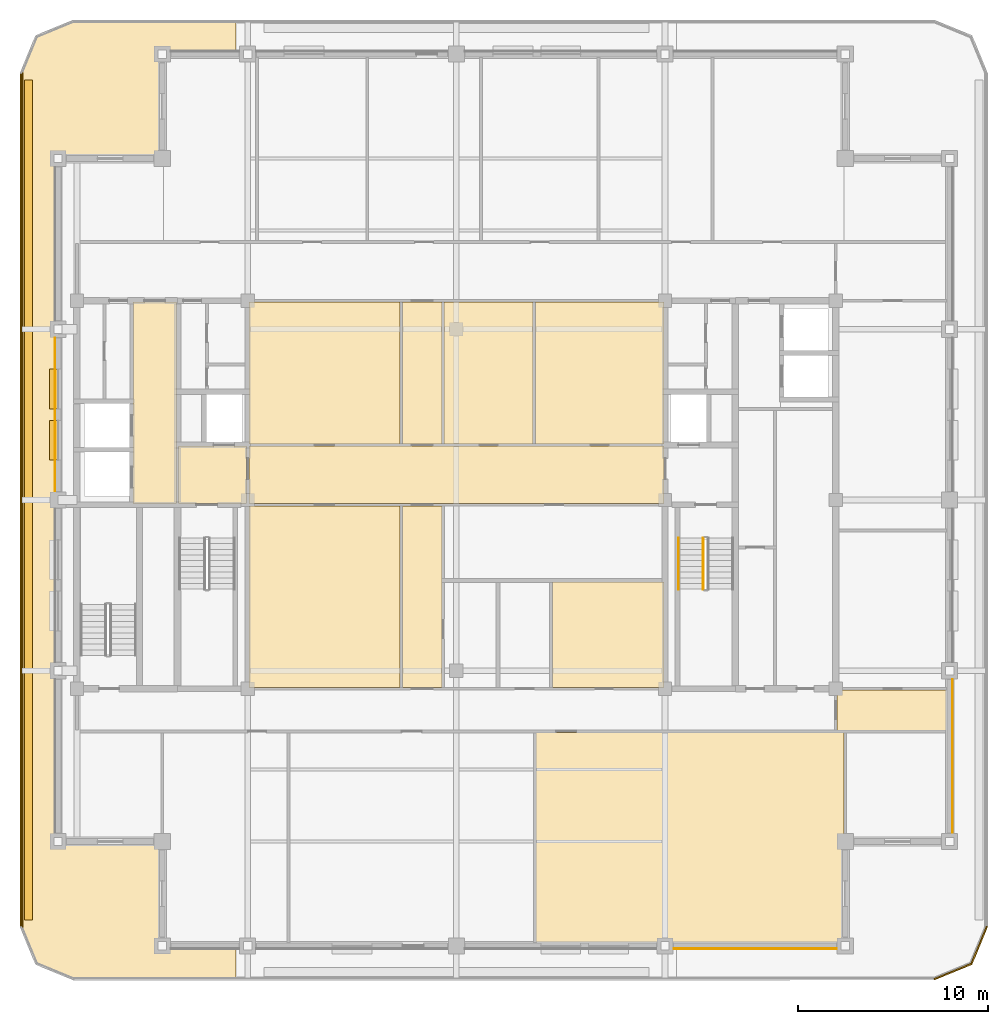
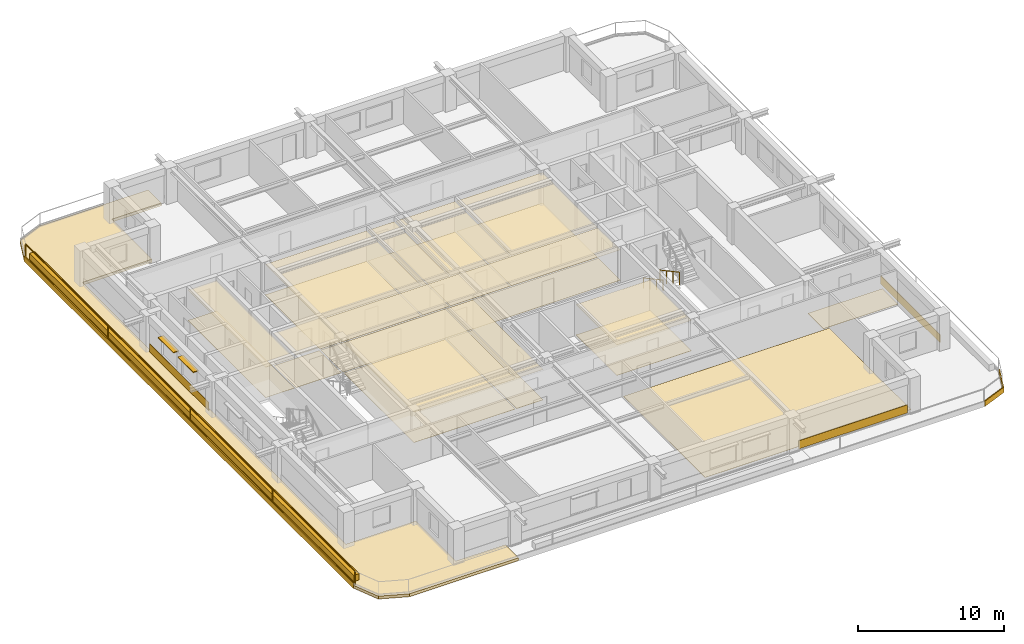
# One storey, part 9 of 11: 30 coverings, 3 railings, 2 shading devices.
"""IFC4 building model written with IfcOpenShell, lengths in metres."""

from ifc_helpers import new_model, si_unit, direction, frame, frame_2d, origin, origin_2d, place, context, subcontext, project, spatial, polyline, rectangle, outline, extrude, material, layer, layer_set, type_object, element, save


model = new_model("IFC4")

# Units and contexts
model_context = context("Model", 3, precision=1e-05, world=origin(), true_north=direction((0.0, 1.0)))
body_context = subcontext(model_context, "Body", "Model", "MODEL_VIEW")
ifc_project = project(units=[si_unit("LENGTHUNIT", "METRE"), si_unit("AREAUNIT", "SQUARE_METRE"), si_unit("VOLUMEUNIT", "CUBIC_METRE"), si_unit("PLANEANGLEUNIT", "RADIAN"), si_unit("MASSUNIT", "GRAM", prefix="KILO")], contexts=[model_context])

# Site, building, storey
site_placement = place(None, origin())
site = spatial("IfcSite", under=ifc_project, at=site_placement, CompositionType="ELEMENT")
building_placement = place(site_placement, origin())
building = spatial("IfcBuilding", under=site, at=building_placement, Name="Zulmaris Gate Convention Tower", CompositionType="ELEMENT")
storey_placement = place(building_placement, frame((0.0, 0.0, 233.280029296875)))
storey = spatial("IfcBuildingStorey", under=building, at=storey_placement, Name="L61", CompositionType="ELEMENT", Elevation=233.280029296875)

# Coverings
ifc_material_1 = material(Name="Precast concrete C40/50", Category="concrete")
ifc_layer_1 = layer(ifc_material_1, 0.0400390625, Name="Precast concrete C40/50")
ifc_layer_set_1 = layer_set([ifc_layer_1], Name="Precast concrete C40/50")
covering_type_1 = type_object("IfcCoveringType", Name="CLAD-SPANDREL-PRECAST", PredefinedType="CLADDING", material=ifc_layer_set_1)
covering_1_placement = place(storey_placement, frame((11.455078125, -23.64990234375, 0.0), z_axis=(0.0, 0.0, 1.0), x_axis=(1.0, 0.0, 0.0)))
element("IfcCovering", 1, at=covering_1_placement, inside=storey, type_object=covering_type_1, Name="CLD-L61-S-3_0", PredefinedType="CLADDING", context=body_context, shape_type="SweptSolid", body=[
    extrude(rectangle(XDim=8.58984375, YDim=0.0400390625, at=frame_2d((4.294921875, 0.0))), origin(), (0.0, 0.0, 1.0), 0.679931640625),
])
for number, where, z_axis, x_axis, name in (
    (2, (26.14990234375, -17.544921875, 0.0), (0.0, 0.0, 1.0), (0.0, 1.0, 0.0), "CLD-L61-E-0_0"),
    (3, (-21.14990234375, 8.544921875, 0.0), (0.0, 0.0, 1.0), (0.0, -1.0, 0.0), "CLD-L61-W-2_0"),
):
    element("IfcCovering", number, at=place(storey_placement, frame(where, z_axis=z_axis, x_axis=x_axis)), inside=storey, type_object=covering_type_1, Name=name, PredefinedType="CLADDING", context=body_context, shape_type="SweptSolid", body=[
        extrude(rectangle(XDim=8.08984375, YDim=0.0400390625, at=frame_2d((4.044921875, 0.0))), origin(), (0.0, 0.0, 1.0), 0.679931640625),
    ])
ifc_material_2 = material(Name="White Glazed Architectural Precast Concrete C40/50", Category="concrete")
ifc_layer_2 = layer(ifc_material_2, 0.239990234375, Name="White Glazed Architectural Precast Concrete C40/50")
ifc_layer_set_2 = layer_set([ifc_layer_2], Name="White Glazed Architectural Precast Concrete C40/50")
covering_type_2 = type_object("IfcCoveringType", Name="CLAD-TRAY-DECK", PredefinedType="CLADDING", material=ifc_layer_set_2)
covering_2_placement = place(storey_placement, frame((0.0, 0.0, -0.25)))
element("IfcCovering", 4, at=covering_2_placement, inside=storey, type_object=covering_type_2, Name="L61 West Rounded-Fascia Planter Tray Deck", PredefinedType="CLADDING", context=body_context, shape_type="SweptSolid", body=[
    extrude(outline(polyline([(-23.0, 22.5), (-22.179931640625, 24.47998046875), (-20.199951171875, 25.300048828125), (-11.60205078125, 25.300048828125), (-11.60205078125, 23.5), (-15.5, 23.5), (-15.5, 18.0), (-21.0, 18.0), (-21.0, -18.0), (-15.5, -18.0), (-15.5, -23.5), (-11.60205078125, -23.5), (-11.60205078125, -25.300048828125), (-20.199951171875, -25.300048828125), (-22.179931640625, -24.47998046875), (-23.0, -22.5), (-23.0, 22.5)])), origin(), (0.0, 0.0, 1.0), 0.239990234375),
])
ifc_layer_3 = layer(ifc_material_2, 0.080078125, Name="White Glazed Architectural Precast Concrete C40/50")
ifc_layer_set_3 = layer_set([ifc_layer_3], Name="White Glazed Architectural Precast Concrete C40/50")
covering_type_3 = type_object("IfcCoveringType", Name="CLAD-TRAY-FASCIA", PredefinedType="CLADDING", material=ifc_layer_set_3)
covering_3_placement = place(storey_placement, frame((25.184814453125, -25.262939453125, -0.2900390625), z_axis=(0.0, 0.0, 1.0), x_axis=(0.923873803533, 0.382697263049, 0.0)))
element("IfcCovering", 5, at=covering_3_placement, inside=storey, type_object=covering_type_3, Name="FSC-L61-TR-03", PredefinedType="CLADDING", context=body_context, shape_type="SweptSolid", body=[
    extrude(rectangle(XDim=2.142822265625, YDim=0.080078125, at=frame_2d((1.0712890625, 0.0))), origin(), (0.0, 0.0, 1.0), 0.43994140625),
])
covering_4_placement = place(storey_placement, frame((27.142822265625, -24.464599609375, -0.2900390625), z_axis=(0.0, 0.0, 1.0), x_axis=(0.382656984709, 0.923890487046, 0.0)))
element("IfcCovering", 6, at=covering_4_placement, inside=storey, type_object=covering_type_3, Name="FSC-L61-TR-04", PredefinedType="CLADDING", context=body_context, shape_type="SweptSolid", body=[
    extrude(rectangle(XDim=2.14306640625, YDim=0.080078125, at=frame_2d((1.071533203125, 0.0))), origin(), (0.0, 0.0, 1.0), 0.43994140625),
])
covering_5_placement = place(storey_placement, frame((-22.9599609375, 22.5, -0.2900390625), z_axis=(0.0, 0.0, 1.0), x_axis=(0.0, -1.0, 0.0)))
element("IfcCovering", 7, at=covering_5_placement, inside=storey, type_object=covering_type_3, Name="FSC-L61-TR-11", PredefinedType="CLADDING", context=body_context, shape_type="SweptSolid", body=[
    extrude(rectangle(XDim=45.0, YDim=0.080078125, at=frame_2d((22.5, 0.0))), origin(), (0.0, 0.0, 1.0), 0.43994140625),
])
ifc_material_3 = material(Name="Mineral Fibre Acoustic Ceiling Tile")
ifc_layer_4 = layer(ifc_material_3, 0.02001953125, Name="Mineral Fibre Acoustic Ceiling Tile")
ifc_layer_set_4 = layer_set([ifc_layer_4], Name="Mineral Fibre Acoustic Ceiling Tile")
covering_type_4 = type_object("IfcCoveringType", Name="CLG-ACOUSTIC-600", PredefinedType="CEILING", material=ifc_layer_set_4)
covering_6_placement = place(storey_placement, frame((0.0, 0.0, 2.699951171875)))
element("IfcCovering", 8, at=covering_6_placement, inside=storey, type_object=covering_type_4, Name="CLG-L61-R03", PredefinedType="CEILING", context=body_context, shape_type="SweptSolid", body=[
    extrude(outline(polyline([(-14.639892578125, -0.18994140625), (-11.06005859375, -0.18994140625), (-11.06005859375, 2.840087890625), (-14.639892578125, 2.840087890625), (-14.639892578125, -0.18994140625)])), origin(), (0.0, 0.0, 1.0), 0.02001953125),
])
covering_7_placement = place(storey_placement, frame((0.0, 0.0, 2.5380859375)))
element("IfcCovering", 9, at=covering_7_placement, inside=storey, type_object=covering_type_4, Name="CLG-L61-R21", PredefinedType="CEILING", context=body_context, shape_type="SweptSolid", body=[
    extrude(outline(polyline([(-17.0400390625, -0.18994140625), (-14.760009765625, -0.18994140625), (-14.760009765625, 10.43994140625), (-17.0400390625, 10.43994140625), (-17.0400390625, -0.18994140625)])), origin(), (0.0, 0.0, 1.0), 0.019775390625),
])
covering_8_placement = place(storey_placement, frame((0.0, 0.0, 2.5380859375)))
element("IfcCovering", 10, at=covering_8_placement, inside=storey, type_object=covering_type_4, Name="CLG-L61-R34", PredefinedType="CEILING", context=body_context, shape_type="SweptSolid", body=[
    extrude(outline(polyline([(-10.93994140625, -0.18994140625), (10.93994140625, -0.18994140625), (10.93994140625, 2.840087890625), (-10.93994140625, 2.840087890625), (-10.93994140625, -0.18994140625)])), origin(), (0.0, 0.0, 1.0), 0.019775390625),
])
covering_9_placement = place(storey_placement, frame((0.0, 0.0, 2.5380859375)))
element("IfcCovering", 11, at=covering_9_placement, inside=storey, type_object=covering_type_4, Name="CLG-L61-R35", PredefinedType="CEILING", context=body_context, shape_type="SweptSolid", body=[
    extrude(outline(polyline([(-2.840087890625, 2.9599609375), (-0.760009765625, 2.9599609375), (-0.760009765625, 10.43994140625), (-2.840087890625, 10.43994140625), (-2.840087890625, 2.9599609375)])), origin(), (0.0, 0.0, 1.0), 0.019775390625),
])
covering_10_placement = place(storey_placement, frame((0.0, 0.0, 2.5380859375)))
element("IfcCovering", 12, at=covering_10_placement, inside=storey, type_object=covering_type_4, Name="CLG-L61-R36", PredefinedType="CEILING", context=body_context, shape_type="SweptSolid", body=[
    extrude(outline(polyline([(-2.840087890625, -9.889892578125), (-0.760009765625, -9.889892578125), (-0.760009765625, -0.31005859375), (-2.840087890625, -0.31005859375), (-2.840087890625, -9.889892578125)])), origin(), (0.0, 0.0, 1.0), 0.019775390625),
])
covering_11_placement = place(storey_placement, frame((0.0, 0.0, 2.5380859375)))
element("IfcCovering", 13, at=covering_11_placement, inside=storey, type_object=covering_type_4, Name="CLG-L61-R46", PredefinedType="CEILING", context=body_context, shape_type="SweptSolid", body=[
    extrude(outline(polyline([(-10.93994140625, 2.9599609375), (-2.9599609375, 2.9599609375), (-2.9599609375, 10.43994140625), (-10.93994140625, 10.43994140625), (-10.93994140625, 2.9599609375)])), origin(), (0.0, 0.0, 1.0), 0.019775390625),
])
covering_12_placement = place(storey_placement, frame((0.0, 0.0, 2.5380859375)))
element("IfcCovering", 14, at=covering_12_placement, inside=storey, type_object=covering_type_4, Name="CLG-L61-R47", PredefinedType="CEILING", context=body_context, shape_type="SweptSolid", body=[
    extrude(outline(polyline([(-0.639892578125, 2.9599609375), (4.0400390625, 2.9599609375), (4.0400390625, 10.43994140625), (-0.639892578125, 10.43994140625), (-0.639892578125, 2.9599609375)])), origin(), (0.0, 0.0, 1.0), 0.019775390625),
])
covering_13_placement = place(storey_placement, frame((0.0, 0.0, 2.5380859375)))
element("IfcCovering", 15, at=covering_13_placement, inside=storey, type_object=covering_type_4, Name="CLG-L61-R48", PredefinedType="CEILING", context=body_context, shape_type="SweptSolid", body=[
    extrude(outline(polyline([(4.159912109375, 2.9599609375), (10.93994140625, 2.9599609375), (10.93994140625, 10.43994140625), (4.159912109375, 10.43994140625), (4.159912109375, 2.9599609375)])), origin(), (0.0, 0.0, 1.0), 0.019775390625),
])
covering_14_placement = place(storey_placement, frame((0.0, 0.0, 2.5380859375)))
element("IfcCovering", 16, at=covering_14_placement, inside=storey, type_object=covering_type_4, Name="CLG-L61-R49", PredefinedType="CEILING", context=body_context, shape_type="SweptSolid", body=[
    extrude(outline(polyline([(-10.93994140625, -9.889892578125), (-2.9599609375, -9.889892578125), (-2.9599609375, -0.31005859375), (-10.93994140625, -0.31005859375), (-10.93994140625, -9.889892578125)])), origin(), (0.0, 0.0, 1.0), 0.019775390625),
])
covering_15_placement = place(storey_placement, frame((0.0, 0.0, 2.5380859375)))
element("IfcCovering", 17, at=covering_15_placement, inside=storey, type_object=covering_type_4, Name="CLG-L61-R53", PredefinedType="CEILING", context=body_context, shape_type="SweptSolid", body=[
    extrude(outline(polyline([(5.06005859375, -9.889892578125), (10.93994140625, -9.889892578125), (10.93994140625, -4.31005859375), (5.06005859375, -4.31005859375), (5.06005859375, -9.889892578125)])), origin(), (0.0, 0.0, 1.0), 0.019775390625),
])
ifc_material_4 = material(Name="Woven Acoustic Wool Carpet Tile")
ifc_layer_5 = layer(ifc_material_4, 0.02001953125, Name="Woven Acoustic Wool Carpet Tile")
ifc_layer_set_5 = layer_set([ifc_layer_5], Name="Woven Acoustic Wool Carpet Tile")
covering_type_5 = type_object("IfcCoveringType", Name="FLR-CARPET-12", PredefinedType="FLOORING", material=ifc_layer_set_5)
covering_16_placement = place(storey_placement, origin())
element("IfcCovering", 18, at=covering_16_placement, inside=storey, type_object=covering_type_5, Name="FLR-L61-R03", PredefinedType="FLOORING", context=body_context, shape_type="SweptSolid", body=[
    extrude(outline(polyline([(-14.639892578125, -0.18994140625), (-11.06005859375, -0.18994140625), (-11.06005859375, 2.840087890625), (-14.639892578125, 2.840087890625), (-14.639892578125, -0.18994140625)])), origin(), (0.0, 0.0, 1.0), 0.02001953125),
])
covering_17_placement = place(storey_placement, origin())
element("IfcCovering", 19, at=covering_17_placement, inside=storey, type_object=covering_type_5, Name="FLR-L61-R21", PredefinedType="FLOORING", context=body_context, shape_type="SweptSolid", body=[
    extrude(outline(polyline([(-17.0400390625, -0.18994140625), (-14.760009765625, -0.18994140625), (-14.760009765625, 10.43994140625), (-17.0400390625, 10.43994140625), (-17.0400390625, -0.18994140625)])), origin(), (0.0, 0.0, 1.0), 0.02001953125),
])
covering_18_placement = place(storey_placement, origin())
element("IfcCovering", 20, at=covering_18_placement, inside=storey, type_object=covering_type_5, Name="FLR-L61-R34", PredefinedType="FLOORING", context=body_context, shape_type="SweptSolid", body=[
    extrude(outline(polyline([(-10.93994140625, -0.18994140625), (10.93994140625, -0.18994140625), (10.93994140625, 2.840087890625), (-10.93994140625, 2.840087890625), (-10.93994140625, -0.18994140625)])), origin(), (0.0, 0.0, 1.0), 0.02001953125),
])
covering_19_placement = place(storey_placement, origin())
element("IfcCovering", 21, at=covering_19_placement, inside=storey, type_object=covering_type_5, Name="FLR-L61-R35", PredefinedType="FLOORING", context=body_context, shape_type="SweptSolid", body=[
    extrude(outline(polyline([(-2.840087890625, 2.9599609375), (-0.760009765625, 2.9599609375), (-0.760009765625, 10.43994140625), (-2.840087890625, 10.43994140625), (-2.840087890625, 2.9599609375)])), origin(), (0.0, 0.0, 1.0), 0.02001953125),
])
covering_20_placement = place(storey_placement, origin())
element("IfcCovering", 22, at=covering_20_placement, inside=storey, type_object=covering_type_5, Name="FLR-L61-R36", PredefinedType="FLOORING", context=body_context, shape_type="SweptSolid", body=[
    extrude(outline(polyline([(-2.840087890625, -9.889892578125), (-0.760009765625, -9.889892578125), (-0.760009765625, -0.31005859375), (-2.840087890625, -0.31005859375), (-2.840087890625, -9.889892578125)])), origin(), (0.0, 0.0, 1.0), 0.02001953125),
])
covering_21_placement = place(storey_placement, origin())
element("IfcCovering", 23, at=covering_21_placement, inside=storey, type_object=covering_type_5, Name="FLR-L61-R45", PredefinedType="FLOORING", context=body_context, shape_type="SweptSolid", body=[
    extrude(outline(polyline([(4.2099609375, -23.43994140625), (20.43994140625, -23.43994140625), (20.43994140625, -12.260009765625), (4.2099609375, -12.260009765625), (4.2099609375, -23.43994140625)])), origin(), (0.0, 0.0, 1.0), 0.02001953125),
])
covering_22_placement = place(storey_placement, origin())
element("IfcCovering", 24, at=covering_22_placement, inside=storey, type_object=covering_type_5, Name="FLR-L61-R48", PredefinedType="FLOORING", context=body_context, shape_type="SweptSolid", body=[
    extrude(outline(polyline([(4.159912109375, 2.9599609375), (10.93994140625, 2.9599609375), (10.93994140625, 10.43994140625), (4.159912109375, 10.43994140625), (4.159912109375, 2.9599609375)])), origin(), (0.0, 0.0, 1.0), 0.02001953125),
])
covering_23_placement = place(storey_placement, origin())
element("IfcCovering", 25, at=covering_23_placement, inside=storey, type_object=covering_type_5, Name="FLR-L61-R49", PredefinedType="FLOORING", context=body_context, shape_type="SweptSolid", body=[
    extrude(outline(polyline([(-10.93994140625, -9.889892578125), (-2.9599609375, -9.889892578125), (-2.9599609375, -0.31005859375), (-10.93994140625, -0.31005859375), (-10.93994140625, -9.889892578125)])), origin(), (0.0, 0.0, 1.0), 0.02001953125),
])
covering_24_placement = place(storey_placement, origin())
element("IfcCovering", 26, at=covering_24_placement, inside=storey, type_object=covering_type_5, Name="FLR-L61-R53", PredefinedType="FLOORING", context=body_context, shape_type="SweptSolid", body=[
    extrude(outline(polyline([(5.06005859375, -9.889892578125), (10.93994140625, -9.889892578125), (10.93994140625, -4.31005859375), (5.06005859375, -4.31005859375), (5.06005859375, -9.889892578125)])), origin(), (0.0, 0.0, 1.0), 0.02001953125),
])
covering_25_placement = place(storey_placement, origin())
element("IfcCovering", 27, at=covering_25_placement, inside=storey, type_object=covering_type_5, Name="FLR-L61-R55", PredefinedType="FLOORING", context=body_context, shape_type="SweptSolid", body=[
    extrude(outline(polyline([(20.06005859375, -12.139892578125), (25.93994140625, -12.139892578125), (25.93994140625, -10.010009765625), (20.06005859375, -10.010009765625), (20.06005859375, -12.139892578125)])), origin(), (0.0, 0.0, 1.0), 0.02001953125),
])
ifc_material_5 = material(Name="Polished Granite Terrazzo Tile", Category="masonry")
ifc_layer_6 = layer(ifc_material_5, 0.02001953125, Name="Polished Granite Terrazzo Tile")
ifc_layer_set_6 = layer_set([ifc_layer_6], Name="Polished Granite Terrazzo Tile")
covering_type_6 = type_object("IfcCoveringType", Name="FLR-TERRAZZO-30", PredefinedType="FLOORING", material=ifc_layer_set_6)
covering_26_placement = place(storey_placement, origin())
element("IfcCovering", 28, at=covering_26_placement, inside=storey, type_object=covering_type_6, Name="FLR-L61-R46", PredefinedType="FLOORING", context=body_context, shape_type="SweptSolid", body=[
    extrude(outline(polyline([(-10.93994140625, 2.9599609375), (-2.9599609375, 2.9599609375), (-2.9599609375, 10.43994140625), (-10.93994140625, 10.43994140625), (-10.93994140625, 2.9599609375)])), origin(), (0.0, 0.0, 1.0), 0.02001953125),
])
ifc_material_6 = material(Name="Engineered Teak Parquet Flooring")
ifc_layer_7 = layer(ifc_material_6, 0.02001953125, Name="Engineered Teak Parquet Flooring")
ifc_layer_set_7 = layer_set([ifc_layer_7], Name="Engineered Teak Parquet Flooring")
covering_type_7 = type_object("IfcCoveringType", Name="FLR-TIMBER-18", PredefinedType="FLOORING", material=ifc_layer_set_7)
covering_27_placement = place(storey_placement, origin())
element("IfcCovering", 29, at=covering_27_placement, inside=storey, type_object=covering_type_7, Name="FLR-L61-R47", PredefinedType="FLOORING", context=body_context, shape_type="SweptSolid", body=[
    extrude(outline(polyline([(-0.639892578125, 2.9599609375), (4.0400390625, 2.9599609375), (4.0400390625, 10.43994140625), (-0.639892578125, 10.43994140625), (-0.639892578125, 2.9599609375)])), origin(), (0.0, 0.0, 1.0), 0.02001953125),
])
ifc_material_7 = material(Name="Botanical Green Glazed Precast Concrete C40/50", Category="concrete")
ifc_layer_8 = layer(ifc_material_7, 0.419921875, Name="Botanical Green Glazed Precast Concrete C40/50")
ifc_layer_set_8 = layer_set([ifc_layer_8], Name="Botanical Green Glazed Precast Concrete C40/50")
covering_type_8 = type_object("IfcCoveringType", Name="PLANTER-BOX-200", PredefinedType="CLADDING", material=ifc_layer_set_8)
covering_28_placement = place(storey_placement, frame((0.0, 0.0, -0.010009765625)))
element("IfcCovering", 30, at=covering_28_placement, inside=storey, type_object=covering_type_8, Name="L61 W Full-Length Balcony Tree Planter Trough", PredefinedType="CLADDING", context=body_context, shape_type="SweptSolid", body=[
    extrude(outline(polyline([(-22.760009765625, -22.14990234375), (-22.340087890625, -22.14990234375), (-22.340087890625, 22.14990234375), (-22.760009765625, 22.14990234375), (-22.760009765625, -22.14990234375)])), origin(), (0.0, 0.0, 1.0), 0.52001953125),
])

# Railings
ifc_material_8 = material(Name="Laminated Glass and Stainless Steel", Category="steel")
railing_type_1 = type_object("IfcRailingType", Name="RL-BALC-1150", PredefinedType="BALUSTRADE", material=ifc_material_8)
railing_1_placement = place(storey_placement, frame((-22.8798828125, 22.5, -0.010009765625)))
element("IfcRailing", 31, at=railing_1_placement, inside=storey, type_object=railing_type_1, Name="RL-L61-BALC-W", PredefinedType="BALUSTRADE", context=body_context, shape_type="SweptSolid", body=[
    extrude(rectangle(XDim=0.048095703125, YDim=0.048095703125, at=origin_2d()), frame((0.0, 0.0, 1.1259765625), z_axis=(0.0, -1.0, 0.0), x_axis=(1.0, 0.0, 0.0)), (0.0, 0.0, 1.0), 45.0),
    extrude(rectangle(XDim=0.048095703125, YDim=0.048095703125, at=origin_2d()), frame((0.0, 0.0, 0.02392578125), z_axis=(0.0, -1.0, 0.0), x_axis=(1.0, 0.0, 0.0)), (0.0, 0.0, 1.0), 45.0),
    extrude(rectangle(XDim=0.0419921875, YDim=0.0419921875, at=origin_2d()), origin(), (0.0, 0.0, 1.0), 1.101806640625),
    extrude(rectangle(XDim=0.0419921875, YDim=0.0419921875, at=origin_2d()), frame((0.0, -11.25, 0.0)), (0.0, 0.0, 1.0), 1.101806640625),
    extrude(rectangle(XDim=0.0419921875, YDim=0.0419921875, at=origin_2d()), frame((0.0, -22.5, 0.0)), (0.0, 0.0, 1.0), 1.101806640625),
    extrude(rectangle(XDim=0.0419921875, YDim=0.0419921875, at=origin_2d()), frame((0.0, -33.75, 0.0)), (0.0, 0.0, 1.0), 1.101806640625),
    extrude(rectangle(XDim=0.0419921875, YDim=0.0419921875, at=origin_2d()), frame((0.0, -45.0, 0.0)), (0.0, 0.0, 1.0), 1.101806640625),
])
ifc_material_9 = material(Name="Painted Galvanised Steel", Category="steel")
railing_type_2 = type_object("IfcRailingType", Name="RL-STG-1150", PredefinedType="GUARDRAIL", material=ifc_material_9)
railing_2_placement = place(storey_placement, frame((13.010009765625, -2.0, 0.161376953125)))
element("IfcRailing", 32, at=railing_2_placement, inside=storey, type_object=railing_type_2, Name="L61 ST-2 stair guard 1", PredefinedType="GUARDRAIL", context=body_context, shape_type="SweptSolid", body=[
    extrude(rectangle(XDim=0.048095703125, YDim=0.048095703125, at=origin_2d()), frame((0.0, 0.0, 1.076171875), z_axis=(0.0, -0.880499220447, 0.474047595492), x_axis=(1.0, 0.0, 0.0)), (0.0, 0.0, 1.0), 3.06640625),
    extrude(rectangle(XDim=0.0419921875, YDim=0.0419921875, at=origin_2d()), origin(), (0.0, 0.0, 1.0), 1.052001953125),
    extrude(rectangle(XDim=0.0419921875, YDim=0.0419921875, at=origin_2d()), frame((0.0, -0.89990234375, 0.484619140625)), (0.0, 0.0, 1.0), 1.052001953125),
    extrude(rectangle(XDim=0.0419921875, YDim=0.0419921875, at=origin_2d()), frame((0.0, -1.800048828125, 0.968994140625)), (0.0, 0.0, 1.0), 1.052001953125),
    extrude(rectangle(XDim=0.0419921875, YDim=0.0419921875, at=origin_2d()), frame((0.0, -2.699951171875, 1.45361328125)), (0.0, 0.0, 1.0), 1.052001953125),
])
ifc_material_10 = material(Name="Brushed Stainless Steel", Category="steel")
railing_type_3 = type_object("IfcRailingType", Name="RL-STH-900", PredefinedType="HANDRAIL", material=ifc_material_10)
railing_3_placement = place(storey_placement, frame((11.7099609375, -2.0, 0.161376953125)))
element("IfcRailing", 33, at=railing_3_placement, inside=storey, type_object=railing_type_3, Name="L61 ST-2 stair handrail 1", PredefinedType="HANDRAIL", context=body_context, shape_type="SweptSolid", body=[
    extrude(rectangle(XDim=0.048095703125, YDim=0.048095703125, at=origin_2d()), frame((0.0, 0.0, 0.8759765625), z_axis=(0.0, -0.880499220447, 0.474047595492), x_axis=(1.0, 0.0, 0.0)), (0.0, 0.0, 1.0), 3.06640625),
    extrude(rectangle(XDim=0.0419921875, YDim=0.0419921875, at=origin_2d()), origin(), (0.0, 0.0, 1.0), 0.851806640625),
    extrude(rectangle(XDim=0.0419921875, YDim=0.0419921875, at=origin_2d()), frame((0.0, -0.89990234375, 0.484619140625)), (0.0, 0.0, 1.0), 0.851806640625),
    extrude(rectangle(XDim=0.0419921875, YDim=0.0419921875, at=origin_2d()), frame((0.0, -1.800048828125, 0.968994140625)), (0.0, 0.0, 1.0), 0.851806640625),
    extrude(rectangle(XDim=0.0419921875, YDim=0.0419921875, at=origin_2d()), frame((0.0, -2.699951171875, 1.45361328125)), (0.0, 0.0, 1.0), 0.851806640625),
])

# Shading devices
ifc_material_11 = material(Name="Glazed Ceramic Terracotta", Category="masonry")
ifc_layer_9 = layer(ifc_material_11, 0.070068359375, Name="Glazed Ceramic Terracotta")
ifc_layer_set_9 = layer_set([ifc_layer_9], Name="Glazed Ceramic Terracotta")
shading_device_type = type_object("IfcShadingDeviceType", Name="SHD-SUNSHADE-TC", PredefinedType="AWNING", material=ifc_layer_set_9)
for number, where, z_axis, x_axis, name in (
    (34, (-21.219970703125, 6.89794921875, 2.22998046875), (0.0, 0.0, 1.0), (0.0, -1.0, 0.0), "SHD-EW-L61-W-2_0-1"),
    (35, (-21.219970703125, 4.201904296875, 2.22998046875), (0.0, 0.0, 1.0), (0.0, -1.0, 0.0), "SHD-EW-L61-W-2_0-2"),
):
    element("IfcShadingDevice", number, at=place(storey_placement, frame(where, z_axis=z_axis, x_axis=x_axis)), inside=storey, type_object=shading_device_type, Name=name, PredefinedType="AWNING", context=body_context, shape_type="SweptSolid", body=[
        extrude(rectangle(XDim=2.099853515625, YDim=0.43994140625, at=frame_2d((1.0498046875, 0.0))), origin(), (0.0, 0.0, 1.0), 0.070068359375),
    ])

save(model, "model.ifc")
